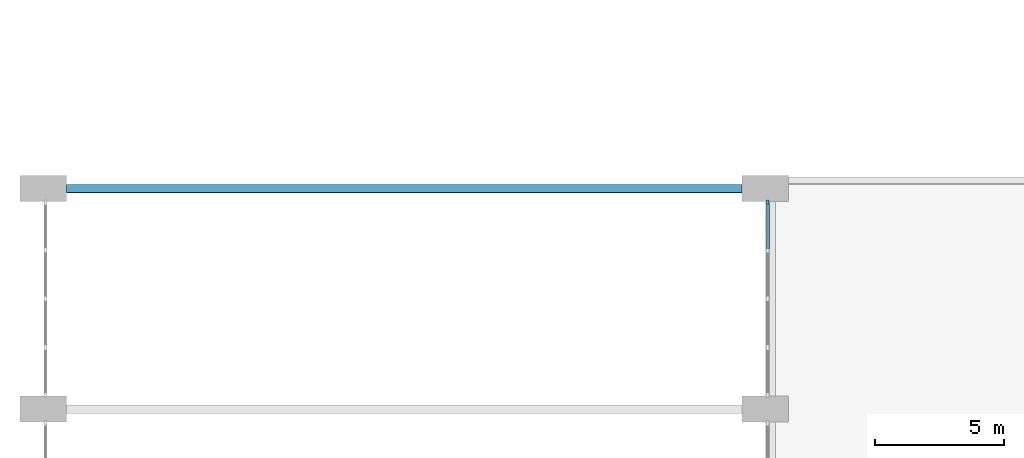
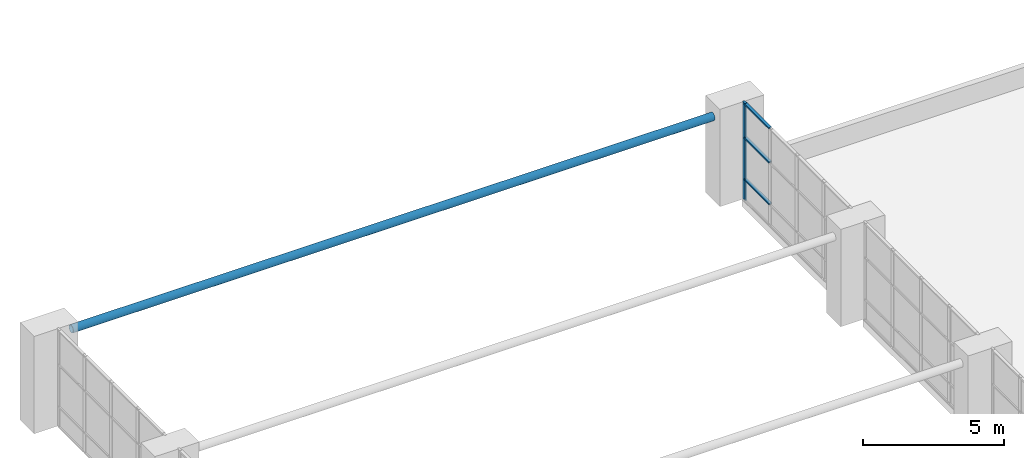
# One storey, part 7 of 21: 5 members, 1 element without a shape of its own.
"""IFC4 building model written with IfcOpenShell, lengths in metres."""

from ifc_helpers import new_model, si_unit, direction, frame, origin, origin_2d, place, context, subcontext, project, spatial, rectangle, hollow_circle, extrude, material, material_profile, profile_set, type_object, element, aggregate, save


model = new_model("IFC4")

# Units and contexts
model_context = context("Model", 3, precision=1e-05, world=origin(), true_north=direction((0.0, 1.0)))
body_context = subcontext(model_context, "Body", "Model", "MODEL_VIEW")
ifc_project = project(units=[si_unit("LENGTHUNIT", "METRE"), si_unit("AREAUNIT", "SQUARE_METRE"), si_unit("VOLUMEUNIT", "CUBIC_METRE"), si_unit("PLANEANGLEUNIT", "RADIAN"), si_unit("MASSUNIT", "GRAM", prefix="KILO")], contexts=[model_context])

# Site, building, storey
site_placement = place(None, origin())
site = spatial("IfcSite", under=ifc_project, at=site_placement, CompositionType="ELEMENT")
building_placement = place(site_placement, origin())
building = spatial("IfcBuilding", under=site, at=building_placement, Name="Elmora Arch Market Hall", CompositionType="ELEMENT")
storey_placement = place(building_placement, frame((0.0, 0.0, 14.39990234375)))
storey = spatial("IfcBuildingStorey", under=building, at=storey_placement, Name="L03", CompositionType="ELEMENT", Elevation=14.39990234375)

# Curtain wall, member
ifc_material_1 = material(Name="Aluminium", Category="aluminium")
curtain_wall_type = type_object("IfcCurtainWallType", Name="Hall front curtain wall", PredefinedType="NOTDEFINED", material=ifc_material_1)
curtain_wall_placement = place(storey_placement, origin())
curtain_wall = element("IfcCurtainWall", 1, at=curtain_wall_placement, inside=storey, type_object=curtain_wall_type, Name="Hall east glazing L03 8", PredefinedType="NOTDEFINED")
ifc_material_2 = material(Name="Aluminium", Category="aluminium")
ifc_material_profile_1 = material_profile(ifc_material_2, rectangle(XDim=0.080078125, YDim=0.179931640625, at=origin_2d()), Name="AL 80x180")
ifc_profile_set_1 = profile_set([ifc_material_profile_1], Name="Aluminium")
member_type_1 = type_object("IfcMemberType", Name="Mullion 80x180", PredefinedType="MULLION", material=ifc_profile_set_1)
member_1_placement = place(storey_placement, frame((43.090087890625, 98.010009765625, 0.0), z_axis=(0.0, 0.0, 1.0), x_axis=(-1.0, 0.0, 0.0)))
member_1 = element("IfcMember", 2, at=member_1_placement, type_object=member_type_1, Name="CW2 mullion 5", PredefinedType="MULLION", context=body_context, shape_type="SweptSolid", body=[
    extrude(rectangle(XDim=0.080078125, YDim=0.179931640625, at=origin_2d()), origin(), (0.0, 0.0, 1.0), 4.2001953125),
])

# Member
ifc_material_3 = material(Name="Steel ASTM A500 Gr C", Category="steel")
ifc_material_profile_2 = material_profile(ifc_material_3, hollow_circle(Radius=0.161865234375, WallThickness=0.0126953125, at=origin_2d()), Name="Tie rod")
ifc_profile_set_2 = profile_set([ifc_material_profile_2], Name="Steel ASTM A500 Gr C")
member_type_2 = type_object("IfcMemberType", Name="Tie rod", PredefinedType="USERDEFINED", material=ifc_profile_set_2)
member_2_placement = place(storey_placement, frame((15.89990234375, 98.550048828125, 3.60009765625), z_axis=(1.0, 0.0, 0.0), x_axis=(0.0, 1.0, 0.0)))
element("IfcMember", 3, at=member_2_placement, inside=storey, type_object=member_type_2, Name="Tie rod 09", ObjectType="TIE ROD", PredefinedType="USERDEFINED", context=body_context, shape_type="SweptSolid", body=[
    extrude(hollow_circle(Radius=0.161865234375, WallThickness=0.0126953125, at=origin_2d()), origin(), (0.0, 0.0, 1.0), 26.2001953125),
])

ifc_material_4 = material(Name="Aluminium", Category="aluminium")
ifc_material_profile_3 = material_profile(ifc_material_4, rectangle(XDim=0.1201171875, YDim=0.06005859375, at=origin_2d()), Name="AL 120x60")
ifc_profile_set_3 = profile_set([ifc_material_profile_3], Name="Aluminium")
member_type_3 = type_object("IfcMemberType", Name="Transom 120x60", PredefinedType="USERDEFINED", material=ifc_profile_set_3)
member_3_placement = place(storey_placement, frame((43.090087890625, 96.202392578125, 0.900146484375), z_axis=(0.0, 1.0, 0.0), x_axis=(-1.0, 0.0, 0.0)))
member_3 = element("IfcMember", 4, at=member_3_placement, type_object=member_type_3, Name="CW2 transom 4.2", ObjectType="TRANSOM", PredefinedType="USERDEFINED", context=body_context, shape_type="SweptSolid", body=[
    extrude(rectangle(XDim=0.1201171875, YDim=0.06005859375, at=origin_2d()), origin(), (0.0, 0.0, 1.0), 1.767578125),
])

member_4_placement = place(storey_placement, frame((43.090087890625, 96.202392578125, 2.7001953125), z_axis=(0.0, 1.0, 0.0), x_axis=(-1.0, 0.0, 0.0)))
member_4 = element("IfcMember", 5, at=member_4_placement, type_object=member_type_3, Name="CW2 transom 4.3", ObjectType="TRANSOM", PredefinedType="USERDEFINED", context=body_context, shape_type="SweptSolid", body=[
    extrude(rectangle(XDim=0.1201171875, YDim=0.06005859375, at=origin_2d()), origin(), (0.0, 0.0, 1.0), 1.767578125),
])

member_5_placement = place(storey_placement, frame((43.090087890625, 96.202392578125, 4.170166015625), z_axis=(0.0, 1.0, 0.0), x_axis=(-1.0, 0.0, 0.0)))
member_5 = element("IfcMember", 6, at=member_5_placement, type_object=member_type_3, Name="CW2 transom 4.4", ObjectType="TRANSOM", PredefinedType="USERDEFINED", context=body_context, shape_type="SweptSolid", body=[
    extrude(rectangle(XDim=0.1201171875, YDim=0.06005859375, at=origin_2d()), origin(), (0.0, 0.0, 1.0), 1.767578125),
])

aggregate(curtain_wall, [member_1, member_3, member_4, member_5])

save(model, "model.ifc")
